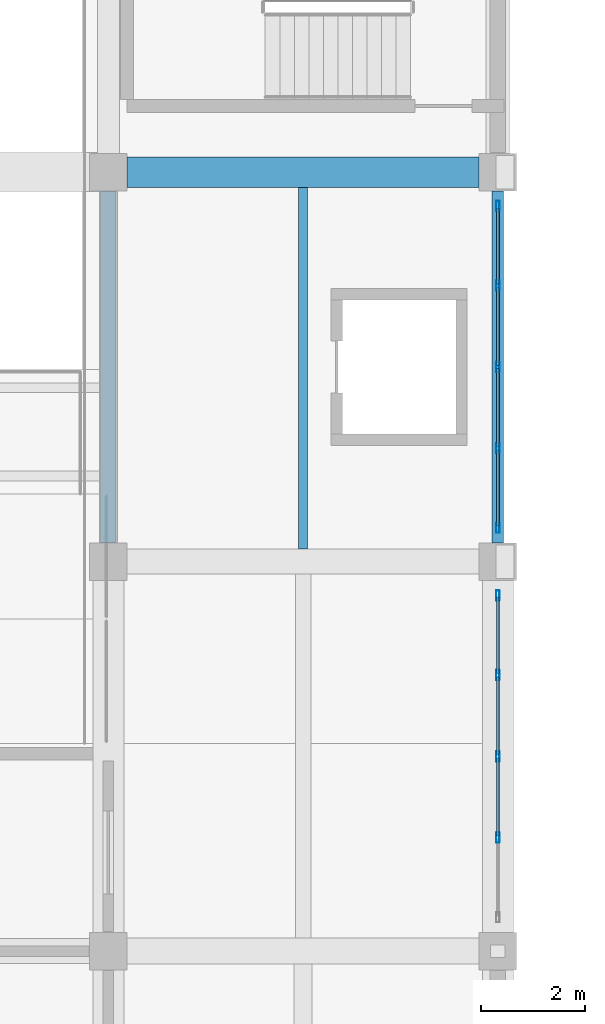
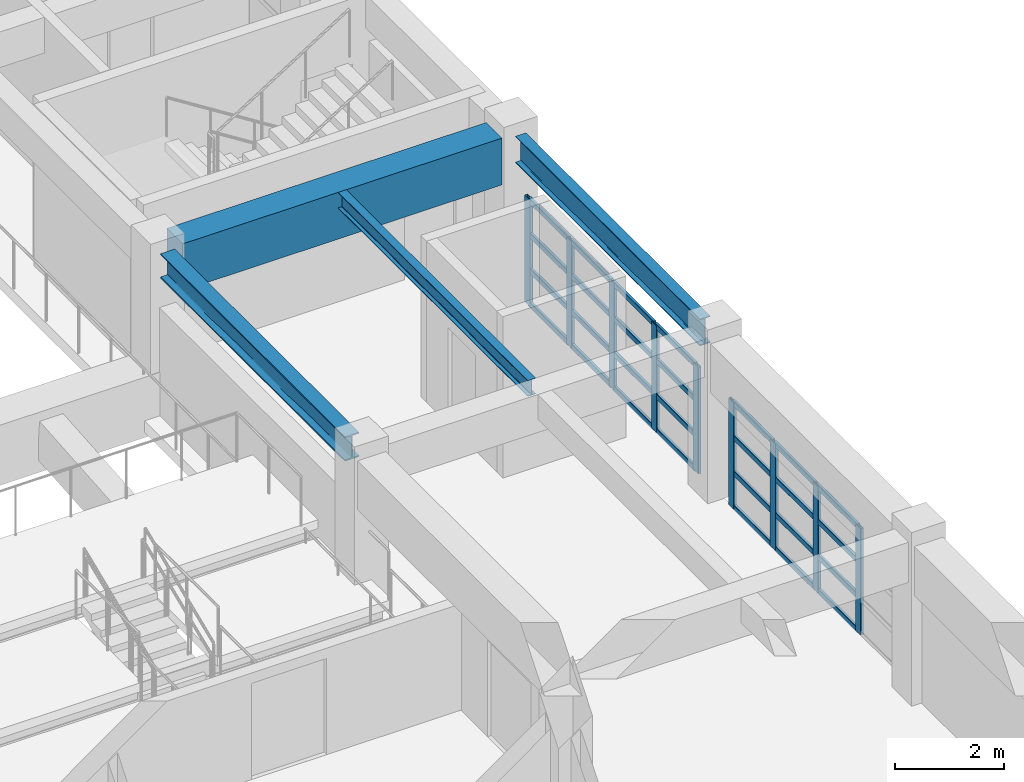
# One storey, part 48 of 101: 37 members, 4 beams, 2 elements without a shape of their own.
"""IFC4 building model written with IfcOpenShell, lengths in metres."""

from ifc_helpers import new_model, si_unit, direction, frame, origin, origin_2d, place, context, subcontext, project, spatial, rectangle, hollow_rectangle, i_section, extrude, material, material_profile, profile_set, type_object, element, aggregate, save


model = new_model("IFC4")

# Units and contexts
model_context = context("Model", 3, precision=1e-05, world=origin(), true_north=direction((0.0, 1.0)))
body_context = subcontext(model_context, "Body", "Model", "MODEL_VIEW")
ifc_project = project(units=[si_unit("LENGTHUNIT", "METRE"), si_unit("AREAUNIT", "SQUARE_METRE"), si_unit("VOLUMEUNIT", "CUBIC_METRE"), si_unit("PLANEANGLEUNIT", "RADIAN"), si_unit("MASSUNIT", "GRAM", prefix="KILO")], contexts=[model_context])

# Site, building, storey
site_placement = place(None, origin())
site = spatial("IfcSite", under=ifc_project, at=site_placement, CompositionType="ELEMENT")
building_placement = place(site_placement, origin())
building = spatial("IfcBuilding", under=site, at=building_placement, Name="Qasida Concert Hall", CompositionType="ELEMENT")
storey_placement = place(building_placement, frame((0.0, 0.0, 13.199951171875)))
storey = spatial("IfcBuildingStorey", under=building, at=storey_placement, Name="L03", CompositionType="ELEMENT", Elevation=13.199951171875)

# Beams
ifc_material_1 = material(Name="Steel S355J2", Category="steel")
ifc_material_profile_1 = material_profile(ifc_material_1, i_section(OverallWidth=0.300048828125, OverallDepth=0.550048828125, WebThickness=0.014892578125, FlangeThickness=0.029052734375, FilletRadius=0.027099609375, at=origin_2d()), Name="HEB 550")
ifc_profile_set_1 = profile_set([ifc_material_profile_1], Name="Steel S355J2")
beam_type_1 = type_object("IfcBeamType", Name="BM-B12", PredefinedType="BEAM", material=ifc_profile_set_1)
beam_1_placement = place(storey_placement, frame((97.5, 37.860107421875, 3.344970703125), z_axis=(0.0, 1.0, 0.0), x_axis=(-1.0, 0.0, 0.0)))
element("IfcBeam", 1, at=beam_1_placement, inside=storey, type_object=beam_type_1, Name="L03 girder 1562", PredefinedType="BEAM", context=body_context, shape_type="SweptSolid", body=[
    extrude(i_section(OverallWidth=0.300048828125, OverallDepth=0.550048828125, WebThickness=0.014892578125, FlangeThickness=0.029052734375, FilletRadius=0.027099609375, at=origin_2d()), origin(), (0.0, 0.0, 1.0), 6.77978515625),
])
ifc_material_2 = material(Name="Concrete C50/60", Category="concrete")
ifc_material_profile_2 = material_profile(ifc_material_2, rectangle(XDim=0.580078125, YDim=1.050048828125, at=origin_2d()), Name="RC 580x1050")
ifc_profile_set_2 = profile_set([ifc_material_profile_2], Name="Concrete C50/60")
beam_type_2 = type_object("IfcBeamType", Name="BM-G8", PredefinedType="USERDEFINED", material=ifc_profile_set_2)
beam_2_placement = place(storey_placement, frame((97.860107421875, 45.0, 3.094970703125), z_axis=(1.0, 0.0, 0.0), x_axis=(0.0, 1.0, 0.0)))
element("IfcBeam", 2, at=beam_2_placement, inside=storey, type_object=beam_type_2, Name="Primary girder 1523", ObjectType="GIRDER", PredefinedType="USERDEFINED", context=body_context, shape_type="SweptSolid", body=[
    extrude(rectangle(XDim=0.580078125, YDim=1.050048828125, at=origin_2d()), origin(), (0.0, 0.0, 1.0), 6.77978515625),
])
ifc_material_profile_3 = material_profile(ifc_material_1, i_section(OverallWidth=0.169921875, OverallDepth=0.360107421875, WebThickness=0.008056640625, FlangeThickness=0.0126953125, FilletRadius=0.01806640625, at=origin_2d()), Name="IPE 360")
ifc_profile_set_3 = profile_set([ifc_material_profile_3], Name="Steel S355J2")
beam_type_3 = type_object("IfcBeamType", Name="BM-J2", PredefinedType="JOIST", material=ifc_profile_set_3)
beam_3_placement = place(storey_placement, frame((101.25, 37.739990234375, 3.43994140625), z_axis=(0.0, 1.0, 0.0), x_axis=(-1.0, 0.0, 0.0)))
element("IfcBeam", 3, at=beam_3_placement, inside=storey, type_object=beam_type_3, Name="L03 secondary joist 1593", PredefinedType="JOIST", context=body_context, shape_type="SweptSolid", body=[
    extrude(i_section(OverallWidth=0.169921875, OverallDepth=0.360107421875, WebThickness=0.008056640625, FlangeThickness=0.0126953125, FilletRadius=0.01806640625, at=origin_2d()), origin(), (0.0, 0.0, 1.0), 6.969970703125),
])
ifc_material_profile_4 = material_profile(ifc_material_1, i_section(OverallWidth=0.219970703125, OverallDepth=0.60009765625, WebThickness=0.011962890625, FlangeThickness=0.01904296875, FilletRadius=0.02392578125, at=origin_2d()), Name="IPE 600")
ifc_profile_set_4 = profile_set([ifc_material_profile_4], Name="Steel S355J2")
beam_type_4 = type_object("IfcBeamType", Name="BM-SP3", PredefinedType="SPANDREL", material=ifc_profile_set_4)
beam_4_placement = place(storey_placement, frame((105.0, 37.860107421875, 3.320068359375), z_axis=(0.0, 1.0, 0.0), x_axis=(-1.0, 0.0, 0.0)))
element("IfcBeam", 4, at=beam_4_placement, inside=storey, type_object=beam_type_4, Name="L03 girder 1568", PredefinedType="SPANDREL", context=body_context, shape_type="SweptSolid", body=[
    extrude(i_section(OverallWidth=0.219970703125, OverallDepth=0.60009765625, WebThickness=0.011962890625, FlangeThickness=0.01904296875, FilletRadius=0.02392578125, at=origin_2d()), origin(), (0.0, 0.0, 1.0), 6.77978515625),
])

# Curtain wall, members
ifc_material_3 = material(Name="Architectural bronze-anodized aluminium and low-E glass", Category="aluminium")
curtain_wall_type = type_object("IfcCurtainWallType", Name="CW-04", PredefinedType="NOTDEFINED", material=ifc_material_3)
curtain_wall_1_placement = place(storey_placement, origin())
curtain_wall_1 = element("IfcCurtainWall", 5, at=curtain_wall_1_placement, inside=storey, type_object=curtain_wall_type, Name="L03 curtain wall CW-04 0051", PredefinedType="NOTDEFINED")
ifc_material_4 = material(Name="Architectural bronze-anodized aluminium EN AW-6063", Category="aluminium")
ifc_material_profile_5 = material_profile(ifc_material_4, hollow_rectangle(XDim=0.06494140625, YDim=0.199951171875, WallThickness=0.0048828125, InnerFilletRadius=0.0048828125, OuterFilletRadius=0.010009765625, at=origin_2d()), Name="CWM 200x65x5")
ifc_profile_set_5 = profile_set([ifc_material_profile_5], Name="Architectural bronze-anodized aluminium EN AW-6063")
member_type_1 = type_object("IfcMemberType", Name="MB-CWM-2", PredefinedType="MULLION", material=ifc_profile_set_5)
member_1_placement = place(storey_placement, frame((105.0, 32.18505859375, 0.0), z_axis=(0.0, 0.0, 1.0), x_axis=(-1.0, 0.0, 0.0)))
member_1 = element("IfcMember", 6, at=member_1_placement, type_object=member_type_1, Name="CW-04 mullion 2", PredefinedType="MULLION", context=body_context, shape_type="SweptSolid", body=[
    extrude(hollow_rectangle(XDim=0.06494140625, YDim=0.199951171875, WallThickness=0.0048828125, InnerFilletRadius=0.0048828125, OuterFilletRadius=0.010009765625, at=origin_2d()), origin(), (0.0, 0.0, 1.0), 2.39013671875),
])
member_2_placement = place(storey_placement, frame((105.0, 33.75, 0.0), z_axis=(0.0, 0.0, 1.0), x_axis=(-1.0, 0.0, 0.0)))
member_2 = element("IfcMember", 7, at=member_2_placement, type_object=member_type_1, Name="CW-04 mullion 3", PredefinedType="MULLION", context=body_context, shape_type="SweptSolid", body=[
    extrude(hollow_rectangle(XDim=0.06494140625, YDim=0.199951171875, WallThickness=0.0048828125, InnerFilletRadius=0.0048828125, OuterFilletRadius=0.010009765625, at=origin_2d()), origin(), (0.0, 0.0, 1.0), 2.39013671875),
])
member_3_placement = place(storey_placement, frame((105.0, 35.31494140625, 0.0), z_axis=(0.0, 0.0, 1.0), x_axis=(-1.0, 0.0, 0.0)))
member_3 = element("IfcMember", 8, at=member_3_placement, type_object=member_type_1, Name="CW-04 mullion 4", PredefinedType="MULLION", context=body_context, shape_type="SweptSolid", body=[
    extrude(hollow_rectangle(XDim=0.06494140625, YDim=0.199951171875, WallThickness=0.0048828125, InnerFilletRadius=0.0048828125, OuterFilletRadius=0.010009765625, at=origin_2d()), origin(), (0.0, 0.0, 1.0), 2.39013671875),
])
member_4_placement = place(storey_placement, frame((105.0, 36.847412109375, 0.0), z_axis=(0.0, 0.0, 1.0), x_axis=(-1.0, 0.0, 0.0)))
member_4 = element("IfcMember", 9, at=member_4_placement, type_object=member_type_1, Name="CW-04 mullion 5", PredefinedType="MULLION", context=body_context, shape_type="SweptSolid", body=[
    extrude(hollow_rectangle(XDim=0.06494140625, YDim=0.199951171875, WallThickness=0.0048828125, InnerFilletRadius=0.0048828125, OuterFilletRadius=0.010009765625, at=origin_2d()), origin(), (0.0, 0.0, 1.0), 2.39013671875),
])

curtain_wall_2_placement = place(storey_placement, origin())
curtain_wall_2 = element("IfcCurtainWall", 10, at=curtain_wall_2_placement, inside=storey, type_object=curtain_wall_type, Name="L03 curtain wall CW-04 0053", PredefinedType="NOTDEFINED")
member_5_placement = place(storey_placement, frame((105.0, 38.152587890625, 0.0), z_axis=(0.0, 0.0, 1.0), x_axis=(-1.0, 0.0, 0.0)))
member_5 = element("IfcMember", 11, at=member_5_placement, type_object=member_type_1, Name="CW-04 mullion 1", PredefinedType="MULLION", context=body_context, shape_type="SweptSolid", body=[
    extrude(hollow_rectangle(XDim=0.06494140625, YDim=0.199951171875, WallThickness=0.0048828125, InnerFilletRadius=0.0048828125, OuterFilletRadius=0.010009765625, at=origin_2d()), origin(), (0.0, 0.0, 1.0), 2.39013671875),
])
member_6_placement = place(storey_placement, frame((105.0, 39.68505859375, 0.0), z_axis=(0.0, 0.0, 1.0), x_axis=(-1.0, 0.0, 0.0)))
member_6 = element("IfcMember", 12, at=member_6_placement, type_object=member_type_1, Name="CW-04 mullion 2", PredefinedType="MULLION", context=body_context, shape_type="SweptSolid", body=[
    extrude(hollow_rectangle(XDim=0.06494140625, YDim=0.199951171875, WallThickness=0.0048828125, InnerFilletRadius=0.0048828125, OuterFilletRadius=0.010009765625, at=origin_2d()), origin(), (0.0, 0.0, 1.0), 2.39013671875),
])
member_7_placement = place(storey_placement, frame((105.0, 41.25, 0.0), z_axis=(0.0, 0.0, 1.0), x_axis=(-1.0, 0.0, 0.0)))
member_7 = element("IfcMember", 13, at=member_7_placement, type_object=member_type_1, Name="CW-04 mullion 3", PredefinedType="MULLION", context=body_context, shape_type="SweptSolid", body=[
    extrude(hollow_rectangle(XDim=0.06494140625, YDim=0.199951171875, WallThickness=0.0048828125, InnerFilletRadius=0.0048828125, OuterFilletRadius=0.010009765625, at=origin_2d()), origin(), (0.0, 0.0, 1.0), 2.39013671875),
])
member_8_placement = place(storey_placement, frame((105.0, 42.81494140625, 0.0), z_axis=(0.0, 0.0, 1.0), x_axis=(-1.0, 0.0, 0.0)))
member_8 = element("IfcMember", 14, at=member_8_placement, type_object=member_type_1, Name="CW-04 mullion 4", PredefinedType="MULLION", context=body_context, shape_type="SweptSolid", body=[
    extrude(hollow_rectangle(XDim=0.06494140625, YDim=0.199951171875, WallThickness=0.0048828125, InnerFilletRadius=0.0048828125, OuterFilletRadius=0.010009765625, at=origin_2d()), origin(), (0.0, 0.0, 1.0), 2.39013671875),
])
member_9_placement = place(storey_placement, frame((105.0, 44.347412109375, 0.0), z_axis=(0.0, 0.0, 1.0), x_axis=(-1.0, 0.0, 0.0)))
member_9 = element("IfcMember", 15, at=member_9_placement, type_object=member_type_1, Name="CW-04 mullion 5", PredefinedType="MULLION", context=body_context, shape_type="SweptSolid", body=[
    extrude(hollow_rectangle(XDim=0.06494140625, YDim=0.199951171875, WallThickness=0.0048828125, InnerFilletRadius=0.0048828125, OuterFilletRadius=0.010009765625, at=origin_2d()), origin(), (0.0, 0.0, 1.0), 2.39013671875),
])

# Member
ifc_material_profile_6 = material_profile(ifc_material_4, hollow_rectangle(XDim=0.06005859375, YDim=0.1201171875, WallThickness=0.00390625, InnerFilletRadius=0.00390625, OuterFilletRadius=0.008056640625, at=origin_2d()), Name="CWT 120x60x4")
ifc_profile_set_6 = profile_set([ifc_material_profile_6], Name="Architectural bronze-anodized aluminium EN AW-6063")
member_type_2 = type_object("IfcMemberType", Name="MB-CWT-2", PredefinedType="USERDEFINED", material=ifc_profile_set_6)
member_10_placement = place(storey_placement, frame((105.0, 32.217529296875, 0.030029296875), z_axis=(0.0, 1.0, 0.0), x_axis=(-1.0, 0.0, 0.0)))
member_10 = element("IfcMember", 16, at=member_10_placement, type_object=member_type_2, Name="CW-04 transom 2.1", ObjectType="TRANSOM", PredefinedType="USERDEFINED", context=body_context, shape_type="SweptSolid", body=[
    extrude(hollow_rectangle(XDim=0.06005859375, YDim=0.1201171875, WallThickness=0.00390625, InnerFilletRadius=0.00390625, OuterFilletRadius=0.008056640625, at=origin_2d()), origin(), (0.0, 0.0, 1.0), 1.5),
])

member_11_placement = place(storey_placement, frame((105.0, 32.217529296875, 0.796630859375), z_axis=(0.0, 1.0, 0.0), x_axis=(-1.0, 0.0, 0.0)))
member_11 = element("IfcMember", 17, at=member_11_placement, type_object=member_type_2, Name="CW-04 transom 2.2", ObjectType="TRANSOM", PredefinedType="USERDEFINED", context=body_context, shape_type="SweptSolid", body=[
    extrude(hollow_rectangle(XDim=0.06005859375, YDim=0.1201171875, WallThickness=0.00390625, InnerFilletRadius=0.00390625, OuterFilletRadius=0.008056640625, at=origin_2d()), origin(), (0.0, 0.0, 1.0), 1.5),
])

member_12_placement = place(storey_placement, frame((105.0, 32.217529296875, 1.59326171875), z_axis=(0.0, 1.0, 0.0), x_axis=(-1.0, 0.0, 0.0)))
member_12 = element("IfcMember", 18, at=member_12_placement, type_object=member_type_2, Name="CW-04 transom 2.3", ObjectType="TRANSOM", PredefinedType="USERDEFINED", context=body_context, shape_type="SweptSolid", body=[
    extrude(hollow_rectangle(XDim=0.06005859375, YDim=0.1201171875, WallThickness=0.00390625, InnerFilletRadius=0.00390625, OuterFilletRadius=0.008056640625, at=origin_2d()), origin(), (0.0, 0.0, 1.0), 1.5),
])

member_13_placement = place(storey_placement, frame((105.0, 32.217529296875, 2.360107421875), z_axis=(0.0, 1.0, 0.0), x_axis=(-1.0, 0.0, 0.0)))
member_13 = element("IfcMember", 19, at=member_13_placement, type_object=member_type_2, Name="CW-04 transom 2.4", ObjectType="TRANSOM", PredefinedType="USERDEFINED", context=body_context, shape_type="SweptSolid", body=[
    extrude(hollow_rectangle(XDim=0.06005859375, YDim=0.1201171875, WallThickness=0.00390625, InnerFilletRadius=0.00390625, OuterFilletRadius=0.008056640625, at=origin_2d()), origin(), (0.0, 0.0, 1.0), 1.5),
])

member_14_placement = place(storey_placement, frame((105.0, 33.782470703125, 0.030029296875), z_axis=(0.0, 1.0, 0.0), x_axis=(-1.0, 0.0, 0.0)))
member_14 = element("IfcMember", 20, at=member_14_placement, type_object=member_type_2, Name="CW-04 transom 3.1", ObjectType="TRANSOM", PredefinedType="USERDEFINED", context=body_context, shape_type="SweptSolid", body=[
    extrude(hollow_rectangle(XDim=0.06005859375, YDim=0.1201171875, WallThickness=0.00390625, InnerFilletRadius=0.00390625, OuterFilletRadius=0.008056640625, at=origin_2d()), origin(), (0.0, 0.0, 1.0), 1.5),
])

member_15_placement = place(storey_placement, frame((105.0, 33.782470703125, 0.796630859375), z_axis=(0.0, 1.0, 0.0), x_axis=(-1.0, 0.0, 0.0)))
member_15 = element("IfcMember", 21, at=member_15_placement, type_object=member_type_2, Name="CW-04 transom 3.2", ObjectType="TRANSOM", PredefinedType="USERDEFINED", context=body_context, shape_type="SweptSolid", body=[
    extrude(hollow_rectangle(XDim=0.06005859375, YDim=0.1201171875, WallThickness=0.00390625, InnerFilletRadius=0.00390625, OuterFilletRadius=0.008056640625, at=origin_2d()), origin(), (0.0, 0.0, 1.0), 1.5),
])

member_16_placement = place(storey_placement, frame((105.0, 33.782470703125, 1.59326171875), z_axis=(0.0, 1.0, 0.0), x_axis=(-1.0, 0.0, 0.0)))
member_16 = element("IfcMember", 22, at=member_16_placement, type_object=member_type_2, Name="CW-04 transom 3.3", ObjectType="TRANSOM", PredefinedType="USERDEFINED", context=body_context, shape_type="SweptSolid", body=[
    extrude(hollow_rectangle(XDim=0.06005859375, YDim=0.1201171875, WallThickness=0.00390625, InnerFilletRadius=0.00390625, OuterFilletRadius=0.008056640625, at=origin_2d()), origin(), (0.0, 0.0, 1.0), 1.5),
])

member_17_placement = place(storey_placement, frame((105.0, 33.782470703125, 2.360107421875), z_axis=(0.0, 1.0, 0.0), x_axis=(-1.0, 0.0, 0.0)))
member_17 = element("IfcMember", 23, at=member_17_placement, type_object=member_type_2, Name="CW-04 transom 3.4", ObjectType="TRANSOM", PredefinedType="USERDEFINED", context=body_context, shape_type="SweptSolid", body=[
    extrude(hollow_rectangle(XDim=0.06005859375, YDim=0.1201171875, WallThickness=0.00390625, InnerFilletRadius=0.00390625, OuterFilletRadius=0.008056640625, at=origin_2d()), origin(), (0.0, 0.0, 1.0), 1.5),
])

member_18_placement = place(storey_placement, frame((105.0, 35.347412109375, 0.030029296875), z_axis=(0.0, 1.0, 0.0), x_axis=(-1.0, 0.0, 0.0)))
member_18 = element("IfcMember", 24, at=member_18_placement, type_object=member_type_2, Name="CW-04 transom 4.1", ObjectType="TRANSOM", PredefinedType="USERDEFINED", context=body_context, shape_type="SweptSolid", body=[
    extrude(hollow_rectangle(XDim=0.06005859375, YDim=0.1201171875, WallThickness=0.00390625, InnerFilletRadius=0.00390625, OuterFilletRadius=0.008056640625, at=origin_2d()), origin(), (0.0, 0.0, 1.0), 1.467529296875),
])

member_19_placement = place(storey_placement, frame((105.0, 35.347412109375, 0.796630859375), z_axis=(0.0, 1.0, 0.0), x_axis=(-1.0, 0.0, 0.0)))
member_19 = element("IfcMember", 25, at=member_19_placement, type_object=member_type_2, Name="CW-04 transom 4.2", ObjectType="TRANSOM", PredefinedType="USERDEFINED", context=body_context, shape_type="SweptSolid", body=[
    extrude(hollow_rectangle(XDim=0.06005859375, YDim=0.1201171875, WallThickness=0.00390625, InnerFilletRadius=0.00390625, OuterFilletRadius=0.008056640625, at=origin_2d()), origin(), (0.0, 0.0, 1.0), 1.467529296875),
])

member_20_placement = place(storey_placement, frame((105.0, 35.347412109375, 1.59326171875), z_axis=(0.0, 1.0, 0.0), x_axis=(-1.0, 0.0, 0.0)))
member_20 = element("IfcMember", 26, at=member_20_placement, type_object=member_type_2, Name="CW-04 transom 4.3", ObjectType="TRANSOM", PredefinedType="USERDEFINED", context=body_context, shape_type="SweptSolid", body=[
    extrude(hollow_rectangle(XDim=0.06005859375, YDim=0.1201171875, WallThickness=0.00390625, InnerFilletRadius=0.00390625, OuterFilletRadius=0.008056640625, at=origin_2d()), origin(), (0.0, 0.0, 1.0), 1.467529296875),
])

member_21_placement = place(storey_placement, frame((105.0, 35.347412109375, 2.360107421875), z_axis=(0.0, 1.0, 0.0), x_axis=(-1.0, 0.0, 0.0)))
member_21 = element("IfcMember", 27, at=member_21_placement, type_object=member_type_2, Name="CW-04 transom 4.4", ObjectType="TRANSOM", PredefinedType="USERDEFINED", context=body_context, shape_type="SweptSolid", body=[
    extrude(hollow_rectangle(XDim=0.06005859375, YDim=0.1201171875, WallThickness=0.00390625, InnerFilletRadius=0.00390625, OuterFilletRadius=0.008056640625, at=origin_2d()), origin(), (0.0, 0.0, 1.0), 1.467529296875),
])

aggregate(curtain_wall_1, [member_1, member_2, member_3, member_4, member_10, member_11, member_12, member_13, member_14, member_15, member_16, member_17, member_18, member_19, member_20, member_21])

member_22_placement = place(storey_placement, frame((105.0, 38.18505859375, 0.030029296875), z_axis=(0.0, 1.0, 0.0), x_axis=(-1.0, 0.0, 0.0)))
member_22 = element("IfcMember", 28, at=member_22_placement, type_object=member_type_2, Name="CW-04 transom 1.1", ObjectType="TRANSOM", PredefinedType="USERDEFINED", context=body_context, shape_type="SweptSolid", body=[
    extrude(hollow_rectangle(XDim=0.06005859375, YDim=0.1201171875, WallThickness=0.00390625, InnerFilletRadius=0.00390625, OuterFilletRadius=0.008056640625, at=origin_2d()), origin(), (0.0, 0.0, 1.0), 1.467529296875),
])

member_23_placement = place(storey_placement, frame((105.0, 38.18505859375, 0.796630859375), z_axis=(0.0, 1.0, 0.0), x_axis=(-1.0, 0.0, 0.0)))
member_23 = element("IfcMember", 29, at=member_23_placement, type_object=member_type_2, Name="CW-04 transom 1.2", ObjectType="TRANSOM", PredefinedType="USERDEFINED", context=body_context, shape_type="SweptSolid", body=[
    extrude(hollow_rectangle(XDim=0.06005859375, YDim=0.1201171875, WallThickness=0.00390625, InnerFilletRadius=0.00390625, OuterFilletRadius=0.008056640625, at=origin_2d()), origin(), (0.0, 0.0, 1.0), 1.467529296875),
])

member_24_placement = place(storey_placement, frame((105.0, 38.18505859375, 1.59326171875), z_axis=(0.0, 1.0, 0.0), x_axis=(-1.0, 0.0, 0.0)))
member_24 = element("IfcMember", 30, at=member_24_placement, type_object=member_type_2, Name="CW-04 transom 1.3", ObjectType="TRANSOM", PredefinedType="USERDEFINED", context=body_context, shape_type="SweptSolid", body=[
    extrude(hollow_rectangle(XDim=0.06005859375, YDim=0.1201171875, WallThickness=0.00390625, InnerFilletRadius=0.00390625, OuterFilletRadius=0.008056640625, at=origin_2d()), origin(), (0.0, 0.0, 1.0), 1.467529296875),
])

member_25_placement = place(storey_placement, frame((105.0, 38.18505859375, 2.360107421875), z_axis=(0.0, 1.0, 0.0), x_axis=(-1.0, 0.0, 0.0)))
member_25 = element("IfcMember", 31, at=member_25_placement, type_object=member_type_2, Name="CW-04 transom 1.4", ObjectType="TRANSOM", PredefinedType="USERDEFINED", context=body_context, shape_type="SweptSolid", body=[
    extrude(hollow_rectangle(XDim=0.06005859375, YDim=0.1201171875, WallThickness=0.00390625, InnerFilletRadius=0.00390625, OuterFilletRadius=0.008056640625, at=origin_2d()), origin(), (0.0, 0.0, 1.0), 1.467529296875),
])

member_26_placement = place(storey_placement, frame((105.0, 39.717529296875, 0.030029296875), z_axis=(0.0, 1.0, 0.0), x_axis=(-1.0, 0.0, 0.0)))
member_26 = element("IfcMember", 32, at=member_26_placement, type_object=member_type_2, Name="CW-04 transom 2.1", ObjectType="TRANSOM", PredefinedType="USERDEFINED", context=body_context, shape_type="SweptSolid", body=[
    extrude(hollow_rectangle(XDim=0.06005859375, YDim=0.1201171875, WallThickness=0.00390625, InnerFilletRadius=0.00390625, OuterFilletRadius=0.008056640625, at=origin_2d()), origin(), (0.0, 0.0, 1.0), 1.5),
])

member_27_placement = place(storey_placement, frame((105.0, 39.717529296875, 0.796630859375), z_axis=(0.0, 1.0, 0.0), x_axis=(-1.0, 0.0, 0.0)))
member_27 = element("IfcMember", 33, at=member_27_placement, type_object=member_type_2, Name="CW-04 transom 2.2", ObjectType="TRANSOM", PredefinedType="USERDEFINED", context=body_context, shape_type="SweptSolid", body=[
    extrude(hollow_rectangle(XDim=0.06005859375, YDim=0.1201171875, WallThickness=0.00390625, InnerFilletRadius=0.00390625, OuterFilletRadius=0.008056640625, at=origin_2d()), origin(), (0.0, 0.0, 1.0), 1.5),
])

member_28_placement = place(storey_placement, frame((105.0, 39.717529296875, 1.59326171875), z_axis=(0.0, 1.0, 0.0), x_axis=(-1.0, 0.0, 0.0)))
member_28 = element("IfcMember", 34, at=member_28_placement, type_object=member_type_2, Name="CW-04 transom 2.3", ObjectType="TRANSOM", PredefinedType="USERDEFINED", context=body_context, shape_type="SweptSolid", body=[
    extrude(hollow_rectangle(XDim=0.06005859375, YDim=0.1201171875, WallThickness=0.00390625, InnerFilletRadius=0.00390625, OuterFilletRadius=0.008056640625, at=origin_2d()), origin(), (0.0, 0.0, 1.0), 1.5),
])

member_29_placement = place(storey_placement, frame((105.0, 39.717529296875, 2.360107421875), z_axis=(0.0, 1.0, 0.0), x_axis=(-1.0, 0.0, 0.0)))
member_29 = element("IfcMember", 35, at=member_29_placement, type_object=member_type_2, Name="CW-04 transom 2.4", ObjectType="TRANSOM", PredefinedType="USERDEFINED", context=body_context, shape_type="SweptSolid", body=[
    extrude(hollow_rectangle(XDim=0.06005859375, YDim=0.1201171875, WallThickness=0.00390625, InnerFilletRadius=0.00390625, OuterFilletRadius=0.008056640625, at=origin_2d()), origin(), (0.0, 0.0, 1.0), 1.5),
])

member_30_placement = place(storey_placement, frame((105.0, 41.282470703125, 0.030029296875), z_axis=(0.0, 1.0, 0.0), x_axis=(-1.0, 0.0, 0.0)))
member_30 = element("IfcMember", 36, at=member_30_placement, type_object=member_type_2, Name="CW-04 transom 3.1", ObjectType="TRANSOM", PredefinedType="USERDEFINED", context=body_context, shape_type="SweptSolid", body=[
    extrude(hollow_rectangle(XDim=0.06005859375, YDim=0.1201171875, WallThickness=0.00390625, InnerFilletRadius=0.00390625, OuterFilletRadius=0.008056640625, at=origin_2d()), origin(), (0.0, 0.0, 1.0), 1.5),
])

member_31_placement = place(storey_placement, frame((105.0, 41.282470703125, 0.796630859375), z_axis=(0.0, 1.0, 0.0), x_axis=(-1.0, 0.0, 0.0)))
member_31 = element("IfcMember", 37, at=member_31_placement, type_object=member_type_2, Name="CW-04 transom 3.2", ObjectType="TRANSOM", PredefinedType="USERDEFINED", context=body_context, shape_type="SweptSolid", body=[
    extrude(hollow_rectangle(XDim=0.06005859375, YDim=0.1201171875, WallThickness=0.00390625, InnerFilletRadius=0.00390625, OuterFilletRadius=0.008056640625, at=origin_2d()), origin(), (0.0, 0.0, 1.0), 1.5),
])

member_32_placement = place(storey_placement, frame((105.0, 41.282470703125, 1.59326171875), z_axis=(0.0, 1.0, 0.0), x_axis=(-1.0, 0.0, 0.0)))
member_32 = element("IfcMember", 38, at=member_32_placement, type_object=member_type_2, Name="CW-04 transom 3.3", ObjectType="TRANSOM", PredefinedType="USERDEFINED", context=body_context, shape_type="SweptSolid", body=[
    extrude(hollow_rectangle(XDim=0.06005859375, YDim=0.1201171875, WallThickness=0.00390625, InnerFilletRadius=0.00390625, OuterFilletRadius=0.008056640625, at=origin_2d()), origin(), (0.0, 0.0, 1.0), 1.5),
])

member_33_placement = place(storey_placement, frame((105.0, 41.282470703125, 2.360107421875), z_axis=(0.0, 1.0, 0.0), x_axis=(-1.0, 0.0, 0.0)))
member_33 = element("IfcMember", 39, at=member_33_placement, type_object=member_type_2, Name="CW-04 transom 3.4", ObjectType="TRANSOM", PredefinedType="USERDEFINED", context=body_context, shape_type="SweptSolid", body=[
    extrude(hollow_rectangle(XDim=0.06005859375, YDim=0.1201171875, WallThickness=0.00390625, InnerFilletRadius=0.00390625, OuterFilletRadius=0.008056640625, at=origin_2d()), origin(), (0.0, 0.0, 1.0), 1.5),
])

member_34_placement = place(storey_placement, frame((105.0, 42.847412109375, 0.030029296875), z_axis=(0.0, 1.0, 0.0), x_axis=(-1.0, 0.0, 0.0)))
member_34 = element("IfcMember", 40, at=member_34_placement, type_object=member_type_2, Name="CW-04 transom 4.1", ObjectType="TRANSOM", PredefinedType="USERDEFINED", context=body_context, shape_type="SweptSolid", body=[
    extrude(hollow_rectangle(XDim=0.06005859375, YDim=0.1201171875, WallThickness=0.00390625, InnerFilletRadius=0.00390625, OuterFilletRadius=0.008056640625, at=origin_2d()), origin(), (0.0, 0.0, 1.0), 1.467529296875),
])

member_35_placement = place(storey_placement, frame((105.0, 42.847412109375, 0.796630859375), z_axis=(0.0, 1.0, 0.0), x_axis=(-1.0, 0.0, 0.0)))
member_35 = element("IfcMember", 41, at=member_35_placement, type_object=member_type_2, Name="CW-04 transom 4.2", ObjectType="TRANSOM", PredefinedType="USERDEFINED", context=body_context, shape_type="SweptSolid", body=[
    extrude(hollow_rectangle(XDim=0.06005859375, YDim=0.1201171875, WallThickness=0.00390625, InnerFilletRadius=0.00390625, OuterFilletRadius=0.008056640625, at=origin_2d()), origin(), (0.0, 0.0, 1.0), 1.467529296875),
])

member_36_placement = place(storey_placement, frame((105.0, 42.847412109375, 1.59326171875), z_axis=(0.0, 1.0, 0.0), x_axis=(-1.0, 0.0, 0.0)))
member_36 = element("IfcMember", 42, at=member_36_placement, type_object=member_type_2, Name="CW-04 transom 4.3", ObjectType="TRANSOM", PredefinedType="USERDEFINED", context=body_context, shape_type="SweptSolid", body=[
    extrude(hollow_rectangle(XDim=0.06005859375, YDim=0.1201171875, WallThickness=0.00390625, InnerFilletRadius=0.00390625, OuterFilletRadius=0.008056640625, at=origin_2d()), origin(), (0.0, 0.0, 1.0), 1.467529296875),
])

member_37_placement = place(storey_placement, frame((105.0, 42.847412109375, 2.360107421875), z_axis=(0.0, 1.0, 0.0), x_axis=(-1.0, 0.0, 0.0)))
member_37 = element("IfcMember", 43, at=member_37_placement, type_object=member_type_2, Name="CW-04 transom 4.4", ObjectType="TRANSOM", PredefinedType="USERDEFINED", context=body_context, shape_type="SweptSolid", body=[
    extrude(hollow_rectangle(XDim=0.06005859375, YDim=0.1201171875, WallThickness=0.00390625, InnerFilletRadius=0.00390625, OuterFilletRadius=0.008056640625, at=origin_2d()), origin(), (0.0, 0.0, 1.0), 1.467529296875),
])

aggregate(curtain_wall_2, [member_5, member_6, member_7, member_8, member_9, member_22, member_23, member_24, member_25, member_26, member_27, member_28, member_29, member_30, member_31, member_32, member_33, member_34, member_35, member_36, member_37])

save(model, "model.ifc")
